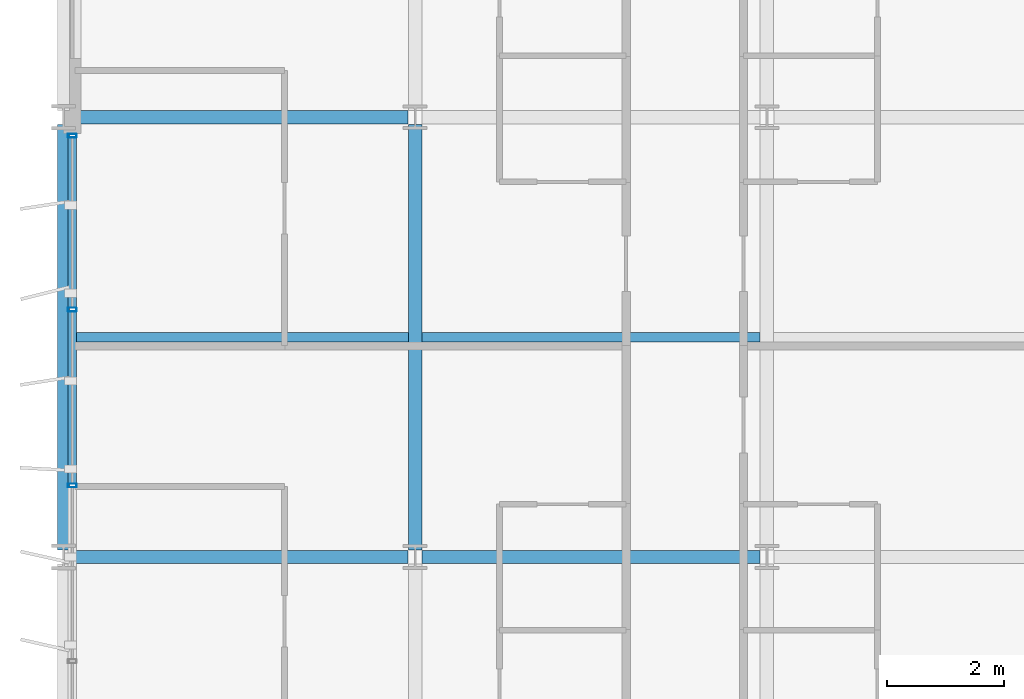
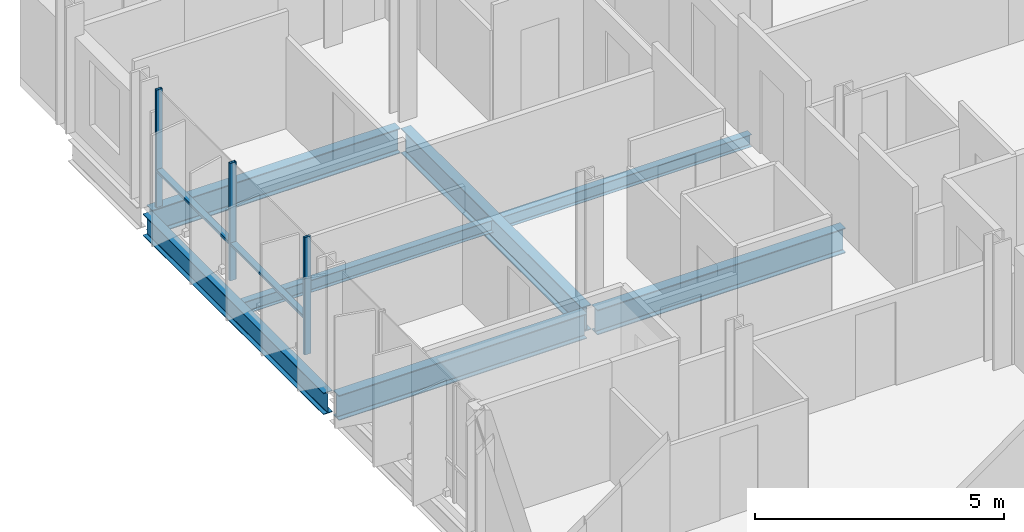
# One storey, part 5 of 39: 7 beams, 5 members, 1 element without a shape of its own.
"""IFC4 building model written with IfcOpenShell, lengths in metres."""

from ifc_helpers import new_model, si_unit, direction, frame, origin, origin_2d, place, context, subcontext, project, spatial, hollow_rectangle, i_section, extrude, material, layer, layer_set, material_profile, profile_set, type_object, element, aggregate, save


model = new_model("IFC4")

# Units and contexts
model_context = context("Model", 3, precision=1e-05, world=origin(), true_north=direction((0.0, 1.0)))
body_context = subcontext(model_context, "Body", "Model", "MODEL_VIEW")
ifc_project = project(units=[si_unit("LENGTHUNIT", "METRE"), si_unit("AREAUNIT", "SQUARE_METRE"), si_unit("VOLUMEUNIT", "CUBIC_METRE"), si_unit("PLANEANGLEUNIT", "RADIAN"), si_unit("MASSUNIT", "GRAM", prefix="KILO")], contexts=[model_context])

# Site, building, storey
site_placement = place(None, origin())
site = spatial("IfcSite", under=ifc_project, at=site_placement, CompositionType="ELEMENT")
building_placement = place(site_placement, origin())
building = spatial("IfcBuilding", under=site, at=building_placement, Name="Brevholm Reach", CompositionType="ELEMENT")
storey_placement = place(building_placement, frame((0.0, 0.0, 115.89990234375)))
storey = spatial("IfcBuildingStorey", under=building, at=storey_placement, Name="L34", CompositionType="ELEMENT", Elevation=115.89990234375)

# Beams
ifc_material_1 = material(Name="Structural Steel S355J2", Category="steel")
ifc_material_profile_1 = material_profile(ifc_material_1, i_section(OverallWidth=0.1650390625, OverallDepth=0.303466796875, WebThickness=0.006103515625, FlangeThickness=0.01025390625, FilletRadius=0.0087890625, at=origin_2d()), Name="UKB 305x165x40")
ifc_profile_set_1 = profile_set([ifc_material_profile_1], Name="Structural Steel S355J2")
beam_type_1 = type_object("IfcBeamType", Name="BM-B305", PredefinedType="BEAM", material=ifc_profile_set_1)
beam_1_placement = place(storey_placement, frame((0.104736328125, 19.75, -0.37158203125), z_axis=(1.0, 0.0, 0.0), x_axis=(0.0, 1.0, 0.0)))
element("IfcBeam", 1, at=beam_1_placement, inside=storey, type_object=beam_type_1, Name="L34 Composite Secondary Floor Beam", PredefinedType="BEAM", context=body_context, shape_type="SweptSolid", body=[
    extrude(i_section(OverallWidth=0.1650390625, OverallDepth=0.303466796875, WebThickness=0.006103515625, FlangeThickness=0.01025390625, FilletRadius=0.0087890625, at=origin_2d()), origin(), (0.0, 0.0, 1.0), 5.78076171875),
])
beam_2_placement = place(storey_placement, frame((6.114501953125, 19.75, -0.37158203125), z_axis=(1.0, 0.0, 0.0), x_axis=(0.0, 1.0, 0.0)))
element("IfcBeam", 2, at=beam_2_placement, inside=storey, type_object=beam_type_1, Name="L34 Composite Secondary Floor Beam", PredefinedType="BEAM", context=body_context, shape_type="SweptSolid", body=[
    extrude(i_section(OverallWidth=0.1650390625, OverallDepth=0.303466796875, WebThickness=0.006103515625, FlangeThickness=0.01025390625, FilletRadius=0.0087890625, at=origin_2d()), origin(), (0.0, 0.0, 1.0), 5.77099609375),
])
ifc_material_2 = material(Name="Structural Steel S355J2", Category="steel")
ifc_material_profile_2 = material_profile(ifc_material_2, i_section(OverallWidth=0.209228515625, OverallDepth=0.533203125, WebThickness=0.010009765625, FlangeThickness=0.015625, FilletRadius=0.0126953125, at=origin_2d()), Name="UKB 533x210x92")
ifc_profile_set_2 = profile_set([ifc_material_profile_2], Name="Structural Steel S355J2")
beam_type_2 = type_object("IfcBeamType", Name="BM-SP533", PredefinedType="SPANDREL", material=ifc_profile_set_2)
beam_3_placement = place(storey_placement, frame((0.0, 16.1201171875, -0.486572265625), z_axis=(0.0, 1.0, 0.0), x_axis=(-1.0, 0.0, 0.0)))
element("IfcBeam", 3, at=beam_3_placement, inside=storey, type_object=beam_type_2, Name="L34 SP-02 Framing Beam", PredefinedType="SPANDREL", context=body_context, shape_type="SweptSolid", body=[
    extrude(i_section(OverallWidth=0.209228515625, OverallDepth=0.533203125, WebThickness=0.010009765625, FlangeThickness=0.015625, FilletRadius=0.0126953125, at=origin_2d()), origin(), (0.0, 0.0, 1.0), 7.259765625),
])
ifc_material_3 = material(Name="Structural Steel S355J2", Category="steel")
ifc_material_profile_3 = material_profile(ifc_material_3, i_section(OverallWidth=0.22900390625, OverallDepth=0.6123046875, WebThickness=0.011962890625, FlangeThickness=0.01953125, FilletRadius=0.0126953125, at=origin_2d()), Name="UKB 610x229x125")
ifc_profile_set_3 = profile_set([ifc_material_profile_3], Name="Structural Steel S355J2")
beam_type_3 = type_object("IfcBeamType", Name="BM-SP610", PredefinedType="SPANDREL", material=ifc_profile_set_3)
for number, where, z_axis, x_axis, name in (
    (4, (0.1201171875, 16.0, -0.526123046875), (1.0, 0.0, 0.0), (0.0, 1.0, 0.0), "L34 SP-01 Framing Beam"),
    (5, (6.1201171875, 16.0, -0.526123046875), (1.0, 0.0, 0.0), (0.0, 1.0, 0.0), "L34 SP-01 Framing Beam"),
    (6, (0.1201171875, 23.5, -0.526123046875), (1.0, 0.0, 0.0), (0.0, 1.0, 0.0), "L34 SP-01 Framing Beam"),
):
    element("IfcBeam", number, at=place(storey_placement, frame(where, z_axis=z_axis, x_axis=x_axis)), inside=storey, type_object=beam_type_3, Name=name, PredefinedType="SPANDREL", context=body_context, shape_type="SweptSolid", body=[
        extrude(i_section(OverallWidth=0.22900390625, OverallDepth=0.6123046875, WebThickness=0.011962890625, FlangeThickness=0.01953125, FilletRadius=0.0126953125, at=origin_2d()), origin(), (0.0, 0.0, 1.0), 5.759765625),
    ])
beam_4_placement = place(storey_placement, frame((6.0, 16.1201171875, -0.526123046875), z_axis=(0.0, 1.0, 0.0), x_axis=(-1.0, 0.0, 0.0)))
element("IfcBeam", 7, at=beam_4_placement, inside=storey, type_object=beam_type_3, Name="L34 SP-01 Framing Beam", PredefinedType="SPANDREL", context=body_context, shape_type="SweptSolid", body=[
    extrude(i_section(OverallWidth=0.22900390625, OverallDepth=0.6123046875, WebThickness=0.011962890625, FlangeThickness=0.01953125, FilletRadius=0.0126953125, at=origin_2d()), origin(), (0.0, 0.0, 1.0), 7.259765625),
])

# Curtain wall, members
ifc_material_4 = material(Name="Dark Anodised Aluminium 6063-T6 and Solar-Control Glass", Category="aluminium")
ifc_layer = layer(ifc_material_4, 0.14990234375)
ifc_layer_set = layer_set([ifc_layer], Name="Dark Anodised Aluminium 6063-T6 and Solar-Control Glass")
curtain_wall_type = type_object("IfcCurtainWallType", Name="CW-01", PredefinedType="NOTDEFINED", material=ifc_layer_set)
curtain_wall_placement = place(storey_placement, origin())
curtain_wall = element("IfcCurtainWall", 8, at=curtain_wall_placement, inside=storey, type_object=curtain_wall_type, Name="L34 Curtain Wall CW-01", PredefinedType="NOTDEFINED")
ifc_material_5 = material(Name="Dark Anodised Aluminium 6063-T6", Category="aluminium")
ifc_material_profile_4 = material_profile(ifc_material_5, hollow_rectangle(XDim=0.06494140625, YDim=0.14990234375, WallThickness=0.0048828125, InnerFilletRadius=0.0048828125, OuterFilletRadius=0.010009765625, at=origin_2d()), Name="RHS 150x65x5")
ifc_profile_set_4 = profile_set([ifc_material_profile_4], Name="Dark Anodised Aluminium 6063-T6")
member_type_1 = type_object("IfcMemberType", Name="CWM-150", PredefinedType="MULLION", material=ifc_profile_set_4)
member_1_placement = place(storey_placement, frame((0.14990234375, 23.1875, 0.0), z_axis=(0.0, 0.0, 1.0), x_axis=(0.0, -1.0, 0.0)))
member_1 = element("IfcMember", 9, at=member_1_placement, type_object=member_type_1, Name="CM-150 Mullion 1", PredefinedType="MULLION", context=body_context, shape_type="SweptSolid", body=[
    extrude(hollow_rectangle(XDim=0.06494140625, YDim=0.14990234375, WallThickness=0.0048828125, InnerFilletRadius=0.0048828125, OuterFilletRadius=0.010009765625, at=origin_2d()), origin(), (0.0, 0.0, 1.0), 2.880126953125),
])
member_2_placement = place(storey_placement, frame((0.14990234375, 20.219970703125, 0.0), z_axis=(0.0, 0.0, 1.0), x_axis=(0.0, -1.0, 0.0)))
member_2 = element("IfcMember", 10, at=member_2_placement, type_object=member_type_1, Name="CM-150 Mullion 2", PredefinedType="MULLION", context=body_context, shape_type="SweptSolid", body=[
    extrude(hollow_rectangle(XDim=0.06494140625, YDim=0.14990234375, WallThickness=0.0048828125, InnerFilletRadius=0.0048828125, OuterFilletRadius=0.010009765625, at=origin_2d()), origin(), (0.0, 0.0, 1.0), 2.880126953125),
])
member_3_placement = place(storey_placement, frame((0.14990234375, 17.219970703125, 0.0), z_axis=(0.0, 0.0, 1.0), x_axis=(0.0, -1.0, 0.0)))
member_3 = element("IfcMember", 11, at=member_3_placement, type_object=member_type_1, Name="CM-150 Mullion 3", PredefinedType="MULLION", context=body_context, shape_type="SweptSolid", body=[
    extrude(hollow_rectangle(XDim=0.06494140625, YDim=0.14990234375, WallThickness=0.0048828125, InnerFilletRadius=0.0048828125, OuterFilletRadius=0.010009765625, at=origin_2d()), origin(), (0.0, 0.0, 1.0), 2.880126953125),
])
ifc_material_6 = material(Name="Dark Anodised Aluminium 6063-T6", Category="aluminium")
ifc_material_profile_5 = material_profile(ifc_material_6, hollow_rectangle(XDim=0.06494140625, YDim=0.14990234375, WallThickness=0.0048828125, InnerFilletRadius=0.0048828125, OuterFilletRadius=0.010009765625, at=origin_2d()), Name="RHS 150x65x5")
ifc_profile_set_5 = profile_set([ifc_material_profile_5], Name="Dark Anodised Aluminium 6063-T6")
member_type_2 = type_object("IfcMemberType", Name="CWT-150", PredefinedType="NOTDEFINED", material=ifc_profile_set_5)
member_4_placement = place(storey_placement, frame((0.14990234375, 23.155029296875, 0.900146484375), z_axis=(0.0, -1.0, 0.0), x_axis=(0.0, 0.0, 1.0)))
member_4 = element("IfcMember", 12, at=member_4_placement, type_object=member_type_2, Name="CT-150 Transom 1.1", ObjectType="TRANSOM", PredefinedType="USERDEFINED", context=body_context, shape_type="SweptSolid", body=[
    extrude(hollow_rectangle(XDim=0.06494140625, YDim=0.14990234375, WallThickness=0.0048828125, InnerFilletRadius=0.0048828125, OuterFilletRadius=0.010009765625, at=origin_2d()), origin(), (0.0, 0.0, 1.0), 2.902587890625),
])
member_5_placement = place(storey_placement, frame((0.14990234375, 20.1875, 0.900146484375), z_axis=(0.0, -1.0, 0.0), x_axis=(0.0, 0.0, 1.0)))
member_5 = element("IfcMember", 13, at=member_5_placement, type_object=member_type_2, Name="CT-150 Transom 2.1", ObjectType="TRANSOM", PredefinedType="USERDEFINED", context=body_context, shape_type="SweptSolid", body=[
    extrude(hollow_rectangle(XDim=0.06494140625, YDim=0.14990234375, WallThickness=0.0048828125, InnerFilletRadius=0.0048828125, OuterFilletRadius=0.010009765625, at=origin_2d()), origin(), (0.0, 0.0, 1.0), 2.93505859375),
])
aggregate(curtain_wall, [member_1, member_2, member_3, member_4, member_5])

save(model, "model.ifc")
